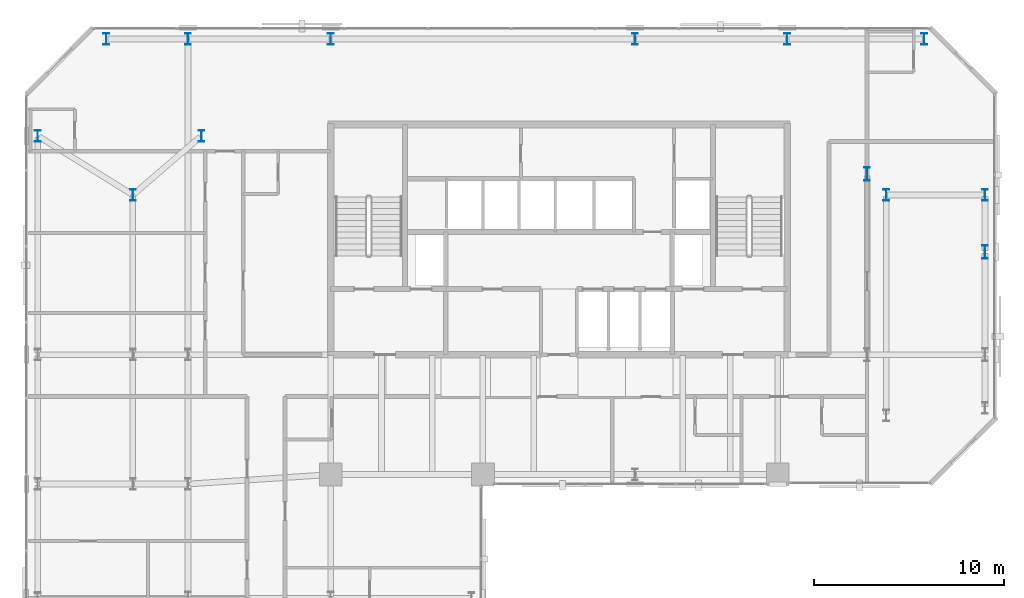
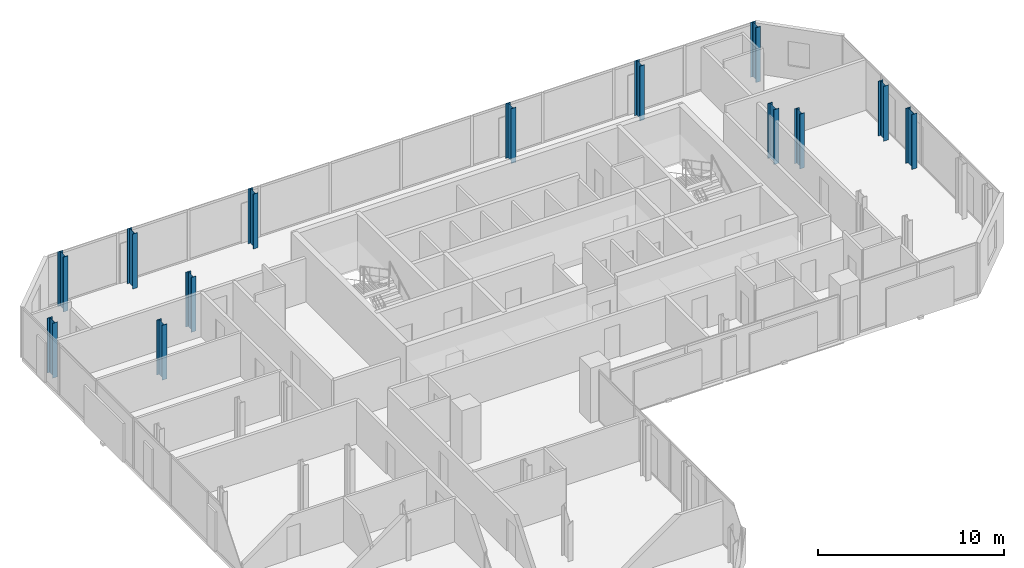
# One storey, part 2 of 33: 13 columns.
"""IFC4 building model written with IfcOpenShell, lengths in metres."""

from ifc_helpers import new_model, si_unit, direction, frame, origin, origin_2d, place, context, subcontext, project, spatial, i_section, extrude, material, material_profile, profile_set, type_object, element, save


model = new_model("IFC4")

# Units and contexts
model_context = context("Model", 3, precision=1e-05, world=origin(), true_north=direction((0.0, 1.0)))
body_context = subcontext(model_context, "Body", "Model", "MODEL_VIEW")
ifc_project = project(units=[si_unit("LENGTHUNIT", "METRE"), si_unit("AREAUNIT", "SQUARE_METRE"), si_unit("VOLUMEUNIT", "CUBIC_METRE"), si_unit("PLANEANGLEUNIT", "RADIAN"), si_unit("MASSUNIT", "GRAM", prefix="KILO")], contexts=[model_context])

# Site, building, storey
site_placement = place(None, origin())
site = spatial("IfcSite", under=ifc_project, at=site_placement, CompositionType="ELEMENT")
building_placement = place(site_placement, origin())
building = spatial("IfcBuilding", under=site, at=building_placement, Name="Catumbela Crestline Tower", CompositionType="ELEMENT")
storey_placement = place(building_placement, frame((0.0, 0.0, 118.8)))
storey = spatial("IfcBuildingStorey", under=building, at=storey_placement, Name="L30", CompositionType="ELEMENT", Elevation=118.8)

# Columns
ifc_material = material(Name="Structural steel S460M", Category="steel")
ifc_material_profile_1 = material_profile(ifc_material, i_section(OverallWidth=0.3, OverallDepth=0.6, WebThickness=0.0155, FlangeThickness=0.03, FilletRadius=0.027, at=origin_2d()), Name="HEB 600")
ifc_profile_set_1 = profile_set([ifc_material_profile_1], Name="Structural steel S460M")
column_type_1 = type_object("IfcColumnType", Name="C-ST-HEB600", PredefinedType="COLUMN", material=ifc_profile_set_1)
for number, where, z_axis, x_axis, name in (
    (1, (5.6, 39.2, 0.0), (0.0, 0.0, 1.0), (1.0, 0.0, 0.0), "L30 Column C-05-43 (HEB 600)"),
    (2, (9.2, 42.3, 0.0), (0.0, 0.0, 1.0), (1.0, 0.0, 0.0), "L30 Column C-08-43 (HEB 600)"),
    (3, (45.2, 39.2, 0.0), (0.0, 0.0, 1.0), (1.0, 0.0, 0.0), "L30 Column C-46-43 (HEB 600)"),
    (4, (0.6, 42.3, 0.0), (0.0, 0.0, 1.0), (1.0, 0.0, 0.0), "L30 Column C-00-43 (HEB 600)"),
    (5, (4.2, 47.4, 0.0), (0.0, 0.0, 1.0), (1.0, 0.0, 0.0), "L30 Column C-00-48 (HEB 600)"),
    (6, (8.5, 47.4, 0.0), (0.0, 0.0, 1.0), (1.0, 0.0, 0.0), "L30 Column C-08-48 (HEB 600)"),
    (7, (16.0, 47.4, 0.0), (0.0, 0.0, 1.0), (1.0, 0.0, 0.0), "L30 Column C-16-48 (HEB 600)"),
    (8, (32.0, 47.4, 0.0), (0.0, 0.0, 1.0), (1.0, 0.0, 0.0), "L30 Column C-32-48 (HEB 600)"),
    (9, (40.0, 47.4, 0.0), (0.0, 0.0, 1.0), (1.0, 0.0, 0.0), "L30 Column C-40-48 (HEB 600)"),
    (10, (47.2, 47.4, 0.0), (0.0, 0.0, 1.0), (1.0, 0.0, 0.0), "L30 Column C-48-48 (HEB 600)"),
    (11, (50.4, 39.2, 0.0), (0.0, 0.0, 1.0), (1.0, 0.0, 0.0), "L30 Column C-51-43 (HEB 600)"),
):
    element("IfcColumn", number, at=place(storey_placement, frame(where, z_axis=z_axis, x_axis=x_axis)), inside=storey, type_object=column_type_1, Name=name, PredefinedType="COLUMN", context=body_context, shape_type="SweptSolid", body=[
        extrude(i_section(OverallWidth=0.3, OverallDepth=0.6, WebThickness=0.0155, FlangeThickness=0.03, FilletRadius=0.027, at=origin_2d()), origin(), (0.0, 0.0, 1.0), 3.6),
    ])
ifc_material_profile_2 = material_profile(ifc_material, i_section(OverallWidth=0.3, OverallDepth=0.7, WebThickness=0.017, FlangeThickness=0.032, FilletRadius=0.027, at=origin_2d()), Name="HEB 700")
ifc_profile_set_2 = profile_set([ifc_material_profile_2], Name="Structural steel S460M")
column_type_2 = type_object("IfcColumnType", Name="C-ST-HEB700", PredefinedType="COLUMN", material=ifc_profile_set_2)
for number, where, z_axis, x_axis, name in (
    (12, (44.2, 40.3, 0.0), (0.0, 0.0, 1.0), (1.0, 0.0, 0.0), "L30 Column CT-46-37 (HEB 700)"),
    (13, (50.4, 36.2, 0.0), (0.0, 0.0, 1.0), (1.0, 0.0, 0.0), "L30 Column CT-51-37 (HEB 700)"),
):
    element("IfcColumn", number, at=place(storey_placement, frame(where, z_axis=z_axis, x_axis=x_axis)), inside=storey, type_object=column_type_2, Name=name, PredefinedType="COLUMN", context=body_context, shape_type="SweptSolid", body=[
        extrude(i_section(OverallWidth=0.3, OverallDepth=0.7, WebThickness=0.017, FlangeThickness=0.032, FilletRadius=0.027, at=origin_2d()), origin(), (0.0, 0.0, 1.0), 3.6),
    ])

save(model, "model.ifc")
